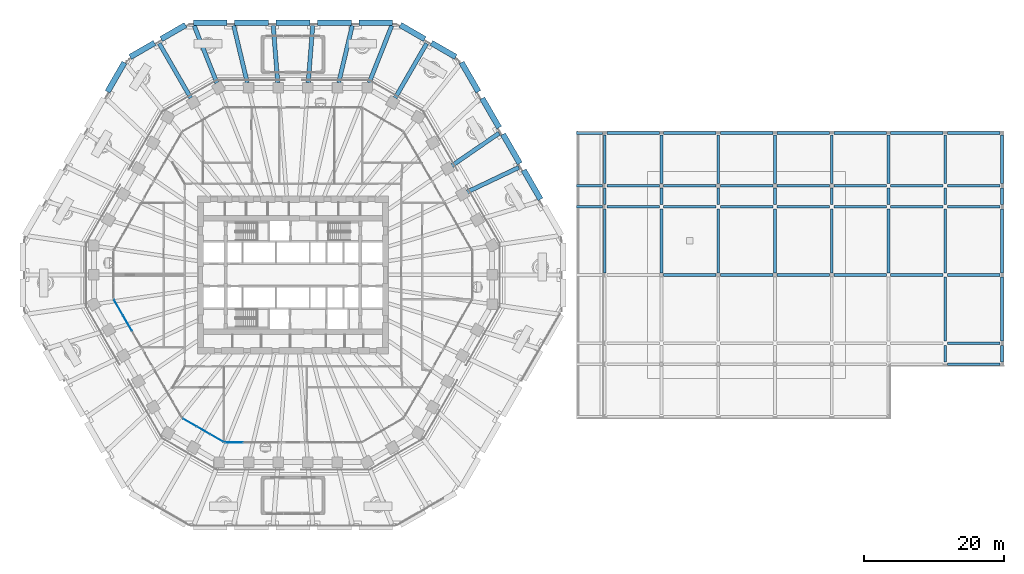
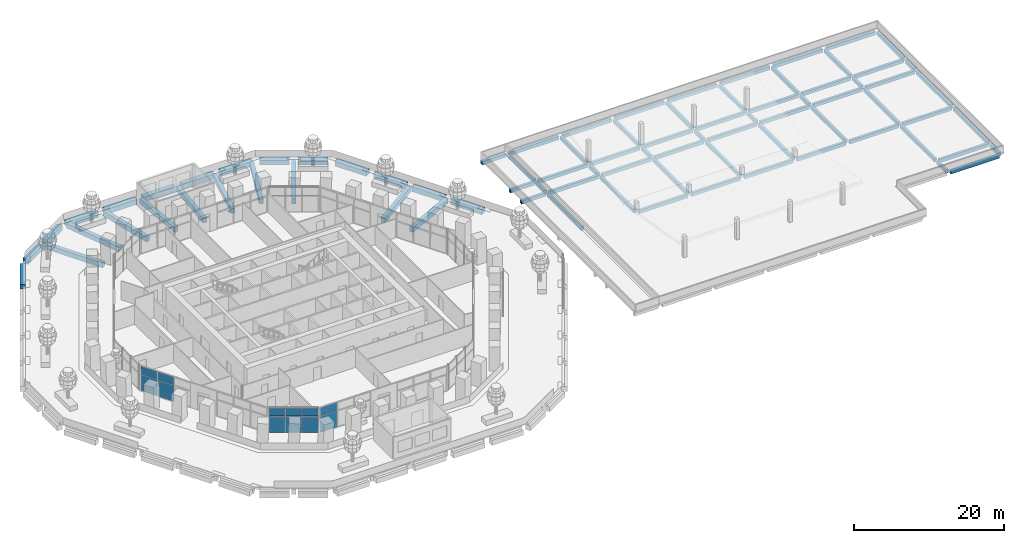
# One storey, part 18 of 32: 84 beams, 12 plates, 3 elements without a shape of their own.
"""IFC4 building model written with IfcOpenShell, lengths in metres."""

from ifc_helpers import new_model, si_unit, direction, frame, origin, origin_2d, place, context, subcontext, project, spatial, rectangle, extrude, material, layer, layer_set, material_profile, profile_set, type_object, element, aggregate, save


model = new_model("IFC4")

# Units and contexts
model_context = context("Model", 3, precision=1e-05, world=origin(), true_north=direction((0.0, 1.0)))
body_context = subcontext(model_context, "Body", "Model", "MODEL_VIEW")
ifc_project = project(units=[si_unit("LENGTHUNIT", "METRE"), si_unit("AREAUNIT", "SQUARE_METRE"), si_unit("VOLUMEUNIT", "CUBIC_METRE"), si_unit("PLANEANGLEUNIT", "RADIAN"), si_unit("MASSUNIT", "GRAM", prefix="KILO")], contexts=[model_context])

# Site, building, storey
site_placement = place(None, origin())
site = spatial("IfcSite", under=ifc_project, at=site_placement, CompositionType="ELEMENT")
building_placement = place(site_placement, origin())
building = spatial("IfcBuilding", under=site, at=building_placement, Name="Frailejon Research Tower", CompositionType="ELEMENT")
storey_placement = place(building_placement, frame((0.0, 0.0, 14.60009765625)))
storey = spatial("IfcBuildingStorey", under=building, at=storey_placement, Name="L03", CompositionType="ELEMENT", Elevation=14.60009765625)

# Beams
ifc_material_1 = material(Name="Concrete C60/75", Category="concrete")
ifc_material_profile_1 = material_profile(ifc_material_1, rectangle(XDim=0.800048828125, YDim=0.800048828125, at=origin_2d()), Name="Base ring beam")
ifc_profile_set_1 = profile_set([ifc_material_profile_1], Name="Concrete C60/75")
beam_type_1 = type_object("IfcBeamType", Name="Base ring beam", PredefinedType="BEAM", material=ifc_profile_set_1)
for number, where, z_axis, x_axis, name in (
    (1, (35.33740234375, 10.7939453125, -0.800048828125), (-0.50000634465, 0.866021740668, 0.0), (-0.866021740668, -0.50000634465, 0.0), "Base ring beam"),
    (2, (32.38037109375, 15.91552734375, -0.800048828125), (-0.50000634465, 0.866021740668, 0.0), (-0.866021740668, -0.50000634465, 0.0), "Base ring beam"),
    (3, (29.423583984375, 21.037109375, -0.800048828125), (-0.50000634465, 0.866021740668, 0.0), (-0.866021740668, -0.50000634465, 0.0), "Base ring beam"),
):
    element("IfcBeam", number, at=place(storey_placement, frame(where, z_axis=z_axis, x_axis=x_axis)), inside=storey, type_object=beam_type_1, Name=name, PredefinedType="BEAM", context=body_context, shape_type="SweptSolid", body=[
        extrude(rectangle(XDim=0.800048828125, YDim=0.800048828125, at=origin_2d()), origin(), (0.0, 0.0, 1.0), 4.81396484375),
    ])
beam_1_placement = place(storey_placement, frame((26.466552734375, 26.15869140625, -0.800048828125), z_axis=(-0.500028306193, 0.866009060579, 0.0), x_axis=(-0.866009060579, -0.500028306193, 0.0)))
element("IfcBeam", 4, at=beam_1_placement, inside=storey, type_object=beam_type_1, Name="Base ring beam", PredefinedType="BEAM", context=body_context, shape_type="SweptSolid", body=[
    extrude(rectangle(XDim=0.800048828125, YDim=0.800048828125, at=origin_2d()), origin(), (0.0, 0.0, 1.0), 4.813720703125),
])
for number, where, z_axis, x_axis, name in (
    (5, (23.234619140625, 31.121337890625, -0.800048828125), (-0.866013269967, 0.500021015799, 0.0), (-0.500021015799, -0.866013269967, 0.0), "Base ring beam"),
    (6, (18.808349609375, 33.677001953125, -0.800048828125), (-0.866013269967, 0.500021015799, 0.0), (-0.500021015799, -0.866013269967, 0.0), "Base ring beam"),
):
    element("IfcBeam", number, at=place(storey_placement, frame(where, z_axis=z_axis, x_axis=x_axis)), inside=storey, type_object=beam_type_1, Name=name, PredefinedType="BEAM", context=body_context, shape_type="SweptSolid", body=[
        extrude(rectangle(XDim=0.800048828125, YDim=0.800048828125, at=origin_2d()), origin(), (0.0, 0.0, 1.0), 4.010986328125),
    ])
beam_2_placement = place(storey_placement, frame((14.234619140625, 36.0, -0.800048828125), z_axis=(-1.0, 0.0, 0.0), x_axis=(0.0, -1.0, 0.0)))
element("IfcBeam", 7, at=beam_2_placement, inside=storey, type_object=beam_type_1, Name="Base ring beam", PredefinedType="BEAM", context=body_context, shape_type="SweptSolid", body=[
    extrude(rectangle(XDim=0.800048828125, YDim=0.800048828125, at=origin_2d()), origin(), (0.0, 0.0, 1.0), 4.813720703125),
])
for number, where, z_axis, x_axis, name in (
    (8, (8.32080078125, 36.0, -0.800048828125), (-1.0, 0.0, 0.0), (0.0, -1.0, 0.0), "Base ring beam"),
    (9, (2.406982421875, 36.0, -0.800048828125), (-1.0, 0.0, 0.0), (0.0, -1.0, 0.0), "Base ring beam"),
    (10, (-3.5068359375, 36.0, -0.800048828125), (-1.0, 0.0, 0.0), (0.0, -1.0, 0.0), "Base ring beam"),
):
    element("IfcBeam", number, at=place(storey_placement, frame(where, z_axis=z_axis, x_axis=x_axis)), inside=storey, type_object=beam_type_1, Name=name, PredefinedType="BEAM", context=body_context, shape_type="SweptSolid", body=[
        extrude(rectangle(XDim=0.800048828125, YDim=0.800048828125, at=origin_2d()), origin(), (0.0, 0.0, 1.0), 4.81396484375),
    ])
beam_3_placement = place(storey_placement, frame((-9.4208984375, 36.0, -0.800048828125), z_axis=(-1.0, 0.0, 0.0), x_axis=(0.0, -1.0, 0.0)))
element("IfcBeam", 11, at=beam_3_placement, inside=storey, type_object=beam_type_1, Name="Base ring beam", PredefinedType="BEAM", context=body_context, shape_type="SweptSolid", body=[
    extrude(rectangle(XDim=0.800048828125, YDim=0.800048828125, at=origin_2d()), origin(), (0.0, 0.0, 1.0), 4.813720703125),
])
for number, where, z_axis, x_axis, name in (
    (12, (-15.334716796875, 35.6826171875, -0.800048828125), (-0.866013269967, -0.500021015799, 0.0), (0.500021015799, -0.866013269967, 0.0), "Base ring beam"),
    (13, (-19.760986328125, 33.126953125, -0.800048828125), (-0.866013269967, -0.500021015799, 0.0), (0.500021015799, -0.866013269967, 0.0), "Base ring beam"),
):
    element("IfcBeam", number, at=place(storey_placement, frame(where, z_axis=z_axis, x_axis=x_axis)), inside=storey, type_object=beam_type_1, Name=name, PredefinedType="BEAM", context=body_context, shape_type="SweptSolid", body=[
        extrude(rectangle(XDim=0.800048828125, YDim=0.800048828125, at=origin_2d()), origin(), (0.0, 0.0, 1.0), 4.010986328125),
    ])
beam_4_placement = place(storey_placement, frame((-24.0595703125, 30.327392578125, -0.800048828125), z_axis=(-0.500028306193, -0.866009060579, 0.0), x_axis=(0.866009060579, -0.500028306193, 0.0)))
element("IfcBeam", 14, at=beam_4_placement, inside=storey, type_object=beam_type_1, Name="Base ring beam", PredefinedType="BEAM", context=body_context, shape_type="SweptSolid", body=[
    extrude(rectangle(XDim=0.800048828125, YDim=0.800048828125, at=origin_2d()), origin(), (0.0, 0.0, 1.0), 4.813720703125),
])
ifc_material_2 = material(Name="Concrete C60/75", Category="concrete")
ifc_material_profile_2 = material_profile(ifc_material_2, rectangle(XDim=0.60009765625, YDim=0.800048828125, at=origin_2d()), Name="Deck girder")
ifc_profile_set_2 = profile_set([ifc_material_profile_2], Name="Concrete C60/75")
beam_type_2 = type_object("IfcBeamType", Name="Deck girder", PredefinedType="BEAM", material=ifc_profile_set_2)
for number, where, z_axis, x_axis, name in (
    (15, (24.860107421875, 11.841064453125, -0.800048828125), (0.902821876558, 0.430014719758, 0.0), (-0.430014719758, 0.902821876558, 0.0), "Deck girder"),
    (16, (22.684814453125, 15.60888671875, -0.800048828125), (0.823805728176, 0.566872227424, 0.0), (-0.566872227424, 0.823805728176, 0.0), "Deck girder"),
):
    element("IfcBeam", number, at=place(storey_placement, frame(where, z_axis=z_axis, x_axis=x_axis)), inside=storey, type_object=beam_type_2, Name=name, PredefinedType="BEAM", context=body_context, shape_type="SweptSolid", body=[
        extrude(rectangle(XDim=0.60009765625, YDim=0.800048828125, at=origin_2d()), origin(), (0.0, 0.0, 1.0), 8.175537109375),
    ])
beam_5_placement = place(storey_placement, frame((14.581298828125, 25.255615234375, -0.800048828125), z_axis=(0.500016540626, 0.866015853839, 0.0), x_axis=(-0.866015853839, 0.500016540626, 0.0)))
element("IfcBeam", 17, at=beam_5_placement, inside=storey, type_object=beam_type_2, Name="Deck girder", PredefinedType="BEAM", context=body_context, shape_type="SweptSolid", body=[
    extrude(rectangle(XDim=0.60009765625, YDim=0.800048828125, at=origin_2d()), origin(), (0.0, 0.0, 1.0), 9.006591796875),
])
beam_6_placement = place(storey_placement, frame((10.877197265625, 27.449951171875, -0.800048828125), z_axis=(0.368358918265, 0.929683659819, 0.0), x_axis=(-0.929683659819, 0.368358918265, 0.0)))
element("IfcBeam", 18, at=beam_6_placement, inside=storey, type_object=beam_type_2, Name="Deck girder", PredefinedType="BEAM", context=body_context, shape_type="SweptSolid", body=[
    extrude(rectangle(XDim=0.60009765625, YDim=0.800048828125, at=origin_2d()), origin(), (0.0, 0.0, 1.0), 8.7666015625),
])
beam_7_placement = place(storey_placement, frame((6.526123046875, 27.449951171875, -0.800048828125), z_axis=(0.231307947353, 0.972880585422, 0.0), x_axis=(-0.972880585422, 0.231307947353, 0.0)))
element("IfcBeam", 19, at=beam_7_placement, inside=storey, type_object=beam_type_2, Name="Deck girder", PredefinedType="BEAM", context=body_context, shape_type="SweptSolid", body=[
    extrude(rectangle(XDim=0.60009765625, YDim=0.800048828125, at=origin_2d()), origin(), (0.0, 0.0, 1.0), 8.37744140625),
])
for number, where, z_axis, x_axis, name in (
    (20, (2.17529296875, 27.449951171875, -0.800048828125), (0.0790140874, 0.996873499493, 0.0), (-0.996873499493, 0.0790140874, 0.0), "Deck girder"),
    (21, (-2.17529296875, 27.449951171875, -0.800048828125), (-0.0790140874, 0.996873499493, 0.0), (-0.996873499493, -0.0790140874, 0.0), "Deck girder"),
):
    element("IfcBeam", number, at=place(storey_placement, frame(where, z_axis=z_axis, x_axis=x_axis)), inside=storey, type_object=beam_type_2, Name=name, PredefinedType="BEAM", context=body_context, shape_type="SweptSolid", body=[
        extrude(rectangle(XDim=0.60009765625, YDim=0.800048828125, at=origin_2d()), origin(), (0.0, 0.0, 1.0), 8.17578125),
    ])
beam_8_placement = place(storey_placement, frame((-6.526123046875, 27.449951171875, -0.800048828125), z_axis=(-0.231307947353, 0.972880585422, 0.0), x_axis=(-0.972880585422, -0.231307947353, 0.0)))
element("IfcBeam", 22, at=beam_8_placement, inside=storey, type_object=beam_type_2, Name="Deck girder", PredefinedType="BEAM", context=body_context, shape_type="SweptSolid", body=[
    extrude(rectangle(XDim=0.60009765625, YDim=0.800048828125, at=origin_2d()), origin(), (0.0, 0.0, 1.0), 8.37744140625),
])
beam_9_placement = place(storey_placement, frame((-10.859130859375, 27.40478515625, -0.800048828125), z_axis=(-0.368375659257, 0.929677026535, 0.0), x_axis=(-0.929677026535, -0.368375659257, 0.0)))
element("IfcBeam", 23, at=beam_9_placement, inside=storey, type_object=beam_type_2, Name="Deck girder", PredefinedType="BEAM", context=body_context, shape_type="SweptSolid", body=[
    extrude(rectangle(XDim=0.60009765625, YDim=0.800048828125, at=origin_2d()), origin(), (0.0, 0.0, 1.0), 8.815185546875),
])
beam_10_placement = place(storey_placement, frame((-14.581298828125, 25.255615234375, -0.800048828125), z_axis=(-0.500016540626, 0.866015853839, 0.0), x_axis=(-0.866015853839, -0.500016540626, 0.0)))
element("IfcBeam", 24, at=beam_10_placement, inside=storey, type_object=beam_type_2, Name="Deck girder", PredefinedType="BEAM", context=body_context, shape_type="SweptSolid", body=[
    extrude(rectangle(XDim=0.60009765625, YDim=0.800048828125, at=origin_2d()), origin(), (0.0, 0.0, 1.0), 9.006591796875),
])
ifc_material_3 = material(Name="Concrete C35/45", Category="concrete")
ifc_material_profile_3 = material_profile(ifc_material_3, rectangle(XDim=0.39990234375, YDim=0.550048828125, at=origin_2d()), Name="HC beam 400x550")
ifc_profile_set_3 = profile_set([ifc_material_profile_3], Name="Concrete C35/45")
beam_type_3 = type_object("IfcBeamType", Name="HC beam 400x550", PredefinedType="BEAM", material=ifc_profile_set_3)
for number, where, z_axis, x_axis, name in (
    (25, (93.39990234375, -12.75, -0.525146484375), (1.0, 0.0, 0.0), (0.0, 1.0, 0.0), "HC roof beam"),
    (26, (93.39990234375, -9.75, -0.525146484375), (1.0, 0.0, 0.0), (0.0, 1.0, 0.0), "HC roof beam"),
    (27, (52.89990234375, 0.0, -0.525146484375), (1.0, 0.0, 0.0), (0.0, 1.0, 0.0), "HC roof beam"),
    (28, (61.0, 0.0, -0.525146484375), (1.0, 0.0, 0.0), (0.0, 1.0, 0.0), "HC roof beam"),
    (29, (69.10009765625, 0.0, -0.525146484375), (1.0, 0.0, 0.0), (0.0, 1.0, 0.0), "HC roof beam"),
    (30, (77.199951171875, 0.0, -0.525146484375), (1.0, 0.0, 0.0), (0.0, 1.0, 0.0), "HC roof beam"),
    (31, (85.300048828125, 0.0, -0.525146484375), (1.0, 0.0, 0.0), (0.0, 1.0, 0.0), "HC roof beam"),
    (32, (93.39990234375, 0.0, -0.525146484375), (1.0, 0.0, 0.0), (0.0, 1.0, 0.0), "HC roof beam"),
    (33, (44.800048828125, 9.75, -0.525146484375), (1.0, 0.0, 0.0), (0.0, 1.0, 0.0), "HC roof beam"),
    (34, (52.89990234375, 9.75, -0.525146484375), (1.0, 0.0, 0.0), (0.0, 1.0, 0.0), "HC roof beam"),
    (35, (61.0, 9.75, -0.525146484375), (1.0, 0.0, 0.0), (0.0, 1.0, 0.0), "HC roof beam"),
    (36, (69.10009765625, 9.75, -0.525146484375), (1.0, 0.0, 0.0), (0.0, 1.0, 0.0), "HC roof beam"),
    (37, (77.199951171875, 9.75, -0.525146484375), (1.0, 0.0, 0.0), (0.0, 1.0, 0.0), "HC roof beam"),
    (38, (85.300048828125, 9.75, -0.525146484375), (1.0, 0.0, 0.0), (0.0, 1.0, 0.0), "HC roof beam"),
    (39, (93.39990234375, 9.75, -0.525146484375), (1.0, 0.0, 0.0), (0.0, 1.0, 0.0), "HC roof beam"),
    (40, (44.800048828125, 12.75, -0.525146484375), (1.0, 0.0, 0.0), (0.0, 1.0, 0.0), "HC roof beam"),
    (41, (52.89990234375, 12.75, -0.525146484375), (1.0, 0.0, 0.0), (0.0, 1.0, 0.0), "HC roof beam"),
    (42, (61.0, 12.75, -0.525146484375), (1.0, 0.0, 0.0), (0.0, 1.0, 0.0), "HC roof beam"),
    (43, (69.10009765625, 12.75, -0.525146484375), (1.0, 0.0, 0.0), (0.0, 1.0, 0.0), "HC roof beam"),
    (44, (77.199951171875, 12.75, -0.525146484375), (1.0, 0.0, 0.0), (0.0, 1.0, 0.0), "HC roof beam"),
    (45, (85.300048828125, 12.75, -0.525146484375), (1.0, 0.0, 0.0), (0.0, 1.0, 0.0), "HC roof beam"),
    (46, (93.39990234375, 12.75, -0.525146484375), (1.0, 0.0, 0.0), (0.0, 1.0, 0.0), "HC roof beam"),
    (47, (44.800048828125, 20.25, -0.525146484375), (1.0, 0.0, 0.0), (0.0, 1.0, 0.0), "HC roof beam"),
    (48, (52.89990234375, 20.25, -0.525146484375), (1.0, 0.0, 0.0), (0.0, 1.0, 0.0), "HC roof beam"),
    (49, (61.0, 20.25, -0.525146484375), (1.0, 0.0, 0.0), (0.0, 1.0, 0.0), "HC roof beam"),
    (50, (69.10009765625, 20.25, -0.525146484375), (1.0, 0.0, 0.0), (0.0, 1.0, 0.0), "HC roof beam"),
    (51, (77.199951171875, 20.25, -0.525146484375), (1.0, 0.0, 0.0), (0.0, 1.0, 0.0), "HC roof beam"),
    (52, (85.300048828125, 20.25, -0.525146484375), (1.0, 0.0, 0.0), (0.0, 1.0, 0.0), "HC roof beam"),
    (53, (93.39990234375, 20.25, -0.525146484375), (1.0, 0.0, 0.0), (0.0, 1.0, 0.0), "HC roof beam"),
):
    element("IfcBeam", number, at=place(storey_placement, frame(where, z_axis=z_axis, x_axis=x_axis)), inside=storey, type_object=beam_type_3, Name=name, PredefinedType="BEAM", context=body_context, shape_type="SweptSolid", body=[
        extrude(rectangle(XDim=0.39990234375, YDim=0.550048828125, at=origin_2d()), origin(), (0.0, 0.0, 1.0), 7.5),
    ])
beam_11_placement = place(storey_placement, frame((44.5, 0.300048828125, -0.525146484375), z_axis=(0.0, 1.0, 0.0), x_axis=(-1.0, 0.0, 0.0)))
element("IfcBeam", 54, at=beam_11_placement, inside=storey, type_object=beam_type_3, Name="HC roof beam", PredefinedType="BEAM", context=body_context, shape_type="SweptSolid", body=[
    extrude(rectangle(XDim=0.39990234375, YDim=0.550048828125, at=origin_2d()), origin(), (0.0, 0.0, 1.0), 9.14990234375),
])
beam_12_placement = place(storey_placement, frame((44.5, 10.050048828125, -0.525146484375), z_axis=(0.0, 1.0, 0.0), x_axis=(-1.0, 0.0, 0.0)))
element("IfcBeam", 55, at=beam_12_placement, inside=storey, type_object=beam_type_3, Name="HC roof beam", PredefinedType="BEAM", context=body_context, shape_type="SweptSolid", body=[
    extrude(rectangle(XDim=0.39990234375, YDim=0.550048828125, at=origin_2d()), origin(), (0.0, 0.0, 1.0), 2.39990234375),
])
beam_13_placement = place(storey_placement, frame((44.5, 13.050048828125, -0.525146484375), z_axis=(0.0, 1.0, 0.0), x_axis=(-1.0, 0.0, 0.0)))
element("IfcBeam", 56, at=beam_13_placement, inside=storey, type_object=beam_type_3, Name="HC roof beam", PredefinedType="BEAM", context=body_context, shape_type="SweptSolid", body=[
    extrude(rectangle(XDim=0.39990234375, YDim=0.550048828125, at=origin_2d()), origin(), (0.0, 0.0, 1.0), 6.89990234375),
])
beam_14_placement = place(storey_placement, frame((52.60009765625, 0.300048828125, -0.525146484375), z_axis=(0.0, 1.0, 0.0), x_axis=(-1.0, 0.0, 0.0)))
element("IfcBeam", 57, at=beam_14_placement, inside=storey, type_object=beam_type_3, Name="HC roof beam", PredefinedType="BEAM", context=body_context, shape_type="SweptSolid", body=[
    extrude(rectangle(XDim=0.39990234375, YDim=0.550048828125, at=origin_2d()), origin(), (0.0, 0.0, 1.0), 9.14990234375),
])
beam_15_placement = place(storey_placement, frame((52.60009765625, 10.050048828125, -0.525146484375), z_axis=(0.0, 1.0, 0.0), x_axis=(-1.0, 0.0, 0.0)))
element("IfcBeam", 58, at=beam_15_placement, inside=storey, type_object=beam_type_3, Name="HC roof beam", PredefinedType="BEAM", context=body_context, shape_type="SweptSolid", body=[
    extrude(rectangle(XDim=0.39990234375, YDim=0.550048828125, at=origin_2d()), origin(), (0.0, 0.0, 1.0), 2.39990234375),
])
beam_16_placement = place(storey_placement, frame((52.60009765625, 13.050048828125, -0.525146484375), z_axis=(0.0, 1.0, 0.0), x_axis=(-1.0, 0.0, 0.0)))
element("IfcBeam", 59, at=beam_16_placement, inside=storey, type_object=beam_type_3, Name="HC roof beam", PredefinedType="BEAM", context=body_context, shape_type="SweptSolid", body=[
    extrude(rectangle(XDim=0.39990234375, YDim=0.550048828125, at=origin_2d()), origin(), (0.0, 0.0, 1.0), 6.89990234375),
])
beam_17_placement = place(storey_placement, frame((60.699951171875, 0.300048828125, -0.525146484375), z_axis=(0.0, 1.0, 0.0), x_axis=(-1.0, 0.0, 0.0)))
element("IfcBeam", 60, at=beam_17_placement, inside=storey, type_object=beam_type_3, Name="HC roof beam", PredefinedType="BEAM", context=body_context, shape_type="SweptSolid", body=[
    extrude(rectangle(XDim=0.39990234375, YDim=0.550048828125, at=origin_2d()), origin(), (0.0, 0.0, 1.0), 9.14990234375),
])
beam_18_placement = place(storey_placement, frame((60.699951171875, 10.050048828125, -0.525146484375), z_axis=(0.0, 1.0, 0.0), x_axis=(-1.0, 0.0, 0.0)))
element("IfcBeam", 61, at=beam_18_placement, inside=storey, type_object=beam_type_3, Name="HC roof beam", PredefinedType="BEAM", context=body_context, shape_type="SweptSolid", body=[
    extrude(rectangle(XDim=0.39990234375, YDim=0.550048828125, at=origin_2d()), origin(), (0.0, 0.0, 1.0), 2.39990234375),
])
beam_19_placement = place(storey_placement, frame((60.699951171875, 13.050048828125, -0.525146484375), z_axis=(0.0, 1.0, 0.0), x_axis=(-1.0, 0.0, 0.0)))
element("IfcBeam", 62, at=beam_19_placement, inside=storey, type_object=beam_type_3, Name="HC roof beam", PredefinedType="BEAM", context=body_context, shape_type="SweptSolid", body=[
    extrude(rectangle(XDim=0.39990234375, YDim=0.550048828125, at=origin_2d()), origin(), (0.0, 0.0, 1.0), 6.89990234375),
])
beam_20_placement = place(storey_placement, frame((68.800048828125, 0.300048828125, -0.525146484375), z_axis=(0.0, 1.0, 0.0), x_axis=(-1.0, 0.0, 0.0)))
element("IfcBeam", 63, at=beam_20_placement, inside=storey, type_object=beam_type_3, Name="HC roof beam", PredefinedType="BEAM", context=body_context, shape_type="SweptSolid", body=[
    extrude(rectangle(XDim=0.39990234375, YDim=0.550048828125, at=origin_2d()), origin(), (0.0, 0.0, 1.0), 9.14990234375),
])
beam_21_placement = place(storey_placement, frame((68.800048828125, 10.050048828125, -0.525146484375), z_axis=(0.0, 1.0, 0.0), x_axis=(-1.0, 0.0, 0.0)))
element("IfcBeam", 64, at=beam_21_placement, inside=storey, type_object=beam_type_3, Name="HC roof beam", PredefinedType="BEAM", context=body_context, shape_type="SweptSolid", body=[
    extrude(rectangle(XDim=0.39990234375, YDim=0.550048828125, at=origin_2d()), origin(), (0.0, 0.0, 1.0), 2.39990234375),
])
beam_22_placement = place(storey_placement, frame((68.800048828125, 13.050048828125, -0.525146484375), z_axis=(0.0, 1.0, 0.0), x_axis=(-1.0, 0.0, 0.0)))
element("IfcBeam", 65, at=beam_22_placement, inside=storey, type_object=beam_type_3, Name="HC roof beam", PredefinedType="BEAM", context=body_context, shape_type="SweptSolid", body=[
    extrude(rectangle(XDim=0.39990234375, YDim=0.550048828125, at=origin_2d()), origin(), (0.0, 0.0, 1.0), 6.89990234375),
])
beam_23_placement = place(storey_placement, frame((76.89990234375, 0.300048828125, -0.525146484375), z_axis=(0.0, 1.0, 0.0), x_axis=(-1.0, 0.0, 0.0)))
element("IfcBeam", 66, at=beam_23_placement, inside=storey, type_object=beam_type_3, Name="HC roof beam", PredefinedType="BEAM", context=body_context, shape_type="SweptSolid", body=[
    extrude(rectangle(XDim=0.39990234375, YDim=0.550048828125, at=origin_2d()), origin(), (0.0, 0.0, 1.0), 9.14990234375),
])
beam_24_placement = place(storey_placement, frame((76.89990234375, 10.050048828125, -0.525146484375), z_axis=(0.0, 1.0, 0.0), x_axis=(-1.0, 0.0, 0.0)))
element("IfcBeam", 67, at=beam_24_placement, inside=storey, type_object=beam_type_3, Name="HC roof beam", PredefinedType="BEAM", context=body_context, shape_type="SweptSolid", body=[
    extrude(rectangle(XDim=0.39990234375, YDim=0.550048828125, at=origin_2d()), origin(), (0.0, 0.0, 1.0), 2.39990234375),
])
beam_25_placement = place(storey_placement, frame((76.89990234375, 13.050048828125, -0.525146484375), z_axis=(0.0, 1.0, 0.0), x_axis=(-1.0, 0.0, 0.0)))
element("IfcBeam", 68, at=beam_25_placement, inside=storey, type_object=beam_type_3, Name="HC roof beam", PredefinedType="BEAM", context=body_context, shape_type="SweptSolid", body=[
    extrude(rectangle(XDim=0.39990234375, YDim=0.550048828125, at=origin_2d()), origin(), (0.0, 0.0, 1.0), 6.89990234375),
])
beam_26_placement = place(storey_placement, frame((85.0, 0.300048828125, -0.525146484375), z_axis=(0.0, 1.0, 0.0), x_axis=(-1.0, 0.0, 0.0)))
element("IfcBeam", 69, at=beam_26_placement, inside=storey, type_object=beam_type_3, Name="HC roof beam", PredefinedType="BEAM", context=body_context, shape_type="SweptSolid", body=[
    extrude(rectangle(XDim=0.39990234375, YDim=0.550048828125, at=origin_2d()), origin(), (0.0, 0.0, 1.0), 9.14990234375),
])
beam_27_placement = place(storey_placement, frame((85.0, 10.050048828125, -0.525146484375), z_axis=(0.0, 1.0, 0.0), x_axis=(-1.0, 0.0, 0.0)))
element("IfcBeam", 70, at=beam_27_placement, inside=storey, type_object=beam_type_3, Name="HC roof beam", PredefinedType="BEAM", context=body_context, shape_type="SweptSolid", body=[
    extrude(rectangle(XDim=0.39990234375, YDim=0.550048828125, at=origin_2d()), origin(), (0.0, 0.0, 1.0), 2.39990234375),
])
beam_28_placement = place(storey_placement, frame((85.0, 13.050048828125, -0.525146484375), z_axis=(0.0, 1.0, 0.0), x_axis=(-1.0, 0.0, 0.0)))
element("IfcBeam", 71, at=beam_28_placement, inside=storey, type_object=beam_type_3, Name="HC roof beam", PredefinedType="BEAM", context=body_context, shape_type="SweptSolid", body=[
    extrude(rectangle(XDim=0.39990234375, YDim=0.550048828125, at=origin_2d()), origin(), (0.0, 0.0, 1.0), 6.89990234375),
])
beam_29_placement = place(storey_placement, frame((93.10009765625, -12.449951171875, -0.525146484375), z_axis=(0.0, 1.0, 0.0), x_axis=(-1.0, 0.0, 0.0)))
element("IfcBeam", 72, at=beam_29_placement, inside=storey, type_object=beam_type_3, Name="HC roof beam", PredefinedType="BEAM", context=body_context, shape_type="SweptSolid", body=[
    extrude(rectangle(XDim=0.39990234375, YDim=0.550048828125, at=origin_2d()), origin(), (0.0, 0.0, 1.0), 2.39990234375),
])
for number, where, z_axis, x_axis, name in (
    (73, (93.10009765625, -9.449951171875, -0.525146484375), (0.0, 1.0, 0.0), (-1.0, 0.0, 0.0), "HC roof beam"),
    (74, (93.10009765625, 0.300048828125, -0.525146484375), (0.0, 1.0, 0.0), (-1.0, 0.0, 0.0), "HC roof beam"),
):
    element("IfcBeam", number, at=place(storey_placement, frame(where, z_axis=z_axis, x_axis=x_axis)), inside=storey, type_object=beam_type_3, Name=name, PredefinedType="BEAM", context=body_context, shape_type="SweptSolid", body=[
        extrude(rectangle(XDim=0.39990234375, YDim=0.550048828125, at=origin_2d()), origin(), (0.0, 0.0, 1.0), 9.14990234375),
    ])
beam_30_placement = place(storey_placement, frame((93.10009765625, 10.050048828125, -0.525146484375), z_axis=(0.0, 1.0, 0.0), x_axis=(-1.0, 0.0, 0.0)))
element("IfcBeam", 75, at=beam_30_placement, inside=storey, type_object=beam_type_3, Name="HC roof beam", PredefinedType="BEAM", context=body_context, shape_type="SweptSolid", body=[
    extrude(rectangle(XDim=0.39990234375, YDim=0.550048828125, at=origin_2d()), origin(), (0.0, 0.0, 1.0), 2.39990234375),
])
beam_31_placement = place(storey_placement, frame((93.10009765625, 13.050048828125, -0.525146484375), z_axis=(0.0, 1.0, 0.0), x_axis=(-1.0, 0.0, 0.0)))
element("IfcBeam", 76, at=beam_31_placement, inside=storey, type_object=beam_type_3, Name="HC roof beam", PredefinedType="BEAM", context=body_context, shape_type="SweptSolid", body=[
    extrude(rectangle(XDim=0.39990234375, YDim=0.550048828125, at=origin_2d()), origin(), (0.0, 0.0, 1.0), 6.89990234375),
])
beam_32_placement = place(storey_placement, frame((101.199951171875, -12.449951171875, -0.525146484375), z_axis=(0.0, 1.0, 0.0), x_axis=(-1.0, 0.0, 0.0)))
element("IfcBeam", 77, at=beam_32_placement, inside=storey, type_object=beam_type_3, Name="HC roof beam", PredefinedType="BEAM", context=body_context, shape_type="SweptSolid", body=[
    extrude(rectangle(XDim=0.39990234375, YDim=0.550048828125, at=origin_2d()), origin(), (0.0, 0.0, 1.0), 2.39990234375),
])
for number, where, z_axis, x_axis, name in (
    (78, (101.199951171875, -9.449951171875, -0.525146484375), (0.0, 1.0, 0.0), (-1.0, 0.0, 0.0), "HC roof beam"),
    (79, (101.199951171875, 0.300048828125, -0.525146484375), (0.0, 1.0, 0.0), (-1.0, 0.0, 0.0), "HC roof beam"),
):
    element("IfcBeam", number, at=place(storey_placement, frame(where, z_axis=z_axis, x_axis=x_axis)), inside=storey, type_object=beam_type_3, Name=name, PredefinedType="BEAM", context=body_context, shape_type="SweptSolid", body=[
        extrude(rectangle(XDim=0.39990234375, YDim=0.550048828125, at=origin_2d()), origin(), (0.0, 0.0, 1.0), 9.14990234375),
    ])
beam_33_placement = place(storey_placement, frame((101.199951171875, 10.050048828125, -0.525146484375), z_axis=(0.0, 1.0, 0.0), x_axis=(-1.0, 0.0, 0.0)))
element("IfcBeam", 80, at=beam_33_placement, inside=storey, type_object=beam_type_3, Name="HC roof beam", PredefinedType="BEAM", context=body_context, shape_type="SweptSolid", body=[
    extrude(rectangle(XDim=0.39990234375, YDim=0.550048828125, at=origin_2d()), origin(), (0.0, 0.0, 1.0), 2.39990234375),
])
beam_34_placement = place(storey_placement, frame((101.199951171875, 13.050048828125, -0.525146484375), z_axis=(0.0, 1.0, 0.0), x_axis=(-1.0, 0.0, 0.0)))
element("IfcBeam", 81, at=beam_34_placement, inside=storey, type_object=beam_type_3, Name="HC roof beam", PredefinedType="BEAM", context=body_context, shape_type="SweptSolid", body=[
    extrude(rectangle(XDim=0.39990234375, YDim=0.550048828125, at=origin_2d()), origin(), (0.0, 0.0, 1.0), 6.89990234375),
])
for number, where, z_axis, x_axis, name in (
    (82, (40.5, 9.75, -0.525146484375), (1.0, 0.0, 0.0), (0.0, 1.0, 0.0), "HC canopy beam"),
    (83, (40.5, 12.75, -0.525146484375), (1.0, 0.0, 0.0), (0.0, 1.0, 0.0), "HC canopy beam"),
    (84, (40.5, 20.25, -0.525146484375), (1.0, 0.0, 0.0), (0.0, 1.0, 0.0), "HC canopy beam"),
):
    element("IfcBeam", number, at=place(storey_placement, frame(where, z_axis=z_axis, x_axis=x_axis)), inside=storey, type_object=beam_type_3, Name=name, PredefinedType="BEAM", context=body_context, shape_type="SweptSolid", body=[
        extrude(rectangle(XDim=0.39990234375, YDim=0.550048828125, at=origin_2d()), origin(), (0.0, 0.0, 1.0), 3.699951171875),
    ])

# Curtain wall, plates
ifc_material_4 = material(Name="Aluminium curtain wall", Category="aluminium")
curtain_wall_type = type_object("IfcCurtainWallType", Name="Base zone unitised curtain wall system", PredefinedType="NOTDEFINED", material=ifc_material_4)
curtain_wall_1_placement = place(storey_placement, origin())
curtain_wall_1 = element("IfcCurtainWall", 85, at=curtain_wall_1_placement, inside=storey, type_object=curtain_wall_type, Name="Curtain wall L03", PredefinedType="NOTDEFINED")
ifc_material_5 = material(Name="Clear laminated glass", Category="glass")
ifc_layer = layer(ifc_material_5, 0.028076171875)
ifc_layer_set = layer_set([ifc_layer], Name="Base zone unitised curtain wall glass panel 28")
plate_type = type_object("IfcPlateType", Name="Base zone unitised curtain wall glass panel 28", PredefinedType="CURTAIN_PANEL", material=ifc_layer_set)
plate_1_placement = place(storey_placement, frame((-24.908447265625, -4.657470703125, 0.06005859375), z_axis=(0.0, 0.0, 1.0), x_axis=(0.499993018474, -0.866029434533, 0.0)))
plate_1 = element("IfcPlate", 86, at=plate_1_placement, type_object=plate_type, Name="CW3-055 panel 1.1", PredefinedType="CURTAIN_PANEL", context=body_context, shape_type="SweptSolid", body=[
    extrude(rectangle(XDim=2.497802734375, YDim=0.028076171875, at=origin_2d()), origin(), (0.0, 0.0, 1.0), 2.610107421875),
])
plate_2_placement = place(storey_placement, frame((-24.908447265625, -4.657470703125, 2.72998046875), z_axis=(0.0, 0.0, 1.0), x_axis=(0.499993018474, -0.866029434533, 0.0)))
plate_2 = element("IfcPlate", 87, at=plate_2_placement, type_object=plate_type, Name="CW3-055 panel 1.2", PredefinedType="CURTAIN_PANEL", context=body_context, shape_type="SweptSolid", body=[
    extrude(rectangle(XDim=2.497802734375, YDim=0.028076171875, at=origin_2d()), origin(), (0.0, 0.0, 1.0), 1.31005859375),
])
plate_3_placement = place(storey_placement, frame((-23.621826171875, -6.8857421875, 0.06005859375), z_axis=(0.0, 0.0, 1.0), x_axis=(0.499993018474, -0.866029434533, 0.0)))
plate_3 = element("IfcPlate", 88, at=plate_3_placement, type_object=plate_type, Name="CW3-055 panel 2.1", PredefinedType="CURTAIN_PANEL", context=body_context, shape_type="SweptSolid", body=[
    extrude(rectangle(XDim=2.52783203125, YDim=0.028076171875, at=origin_2d()), origin(), (0.0, 0.0, 1.0), 2.610107421875),
])
plate_4_placement = place(storey_placement, frame((-23.621826171875, -6.8857421875, 2.72998046875), z_axis=(0.0, 0.0, 1.0), x_axis=(0.499993018474, -0.866029434533, 0.0)))
plate_4 = element("IfcPlate", 89, at=plate_4_placement, type_object=plate_type, Name="CW3-055 panel 2.2", PredefinedType="CURTAIN_PANEL", context=body_context, shape_type="SweptSolid", body=[
    extrude(rectangle(XDim=2.52783203125, YDim=0.028076171875, at=origin_2d()), origin(), (0.0, 0.0, 1.0), 1.31005859375),
])
aggregate(curtain_wall_1, [plate_1, plate_2, plate_3, plate_4])

curtain_wall_2_placement = place(storey_placement, origin())
curtain_wall_2 = element("IfcCurtainWall", 90, at=curtain_wall_2_placement, inside=storey, type_object=curtain_wall_type, Name="Curtain wall L03", PredefinedType="NOTDEFINED")
plate_5_placement = place(storey_placement, frame((-14.72021484375, -21.076416015625, 0.06005859375), z_axis=(0.0, 0.0, 1.0), x_axis=(0.866026409075, -0.499998258782, 0.0)))
plate_5 = element("IfcPlate", 91, at=plate_5_placement, type_object=plate_type, Name="CW3-057 panel 1.1", PredefinedType="CURTAIN_PANEL", context=body_context, shape_type="SweptSolid", body=[
    extrude(rectangle(XDim=2.134765625, YDim=0.028076171875, at=origin_2d()), origin(), (0.0, 0.0, 1.0), 2.610107421875),
])
plate_6_placement = place(storey_placement, frame((-14.72021484375, -21.076416015625, 2.72998046875), z_axis=(0.0, 0.0, 1.0), x_axis=(0.866026409075, -0.499998258782, 0.0)))
plate_6 = element("IfcPlate", 92, at=plate_6_placement, type_object=plate_type, Name="CW3-057 panel 1.2", PredefinedType="CURTAIN_PANEL", context=body_context, shape_type="SweptSolid", body=[
    extrude(rectangle(XDim=2.134765625, YDim=0.028076171875, at=origin_2d()), origin(), (0.0, 0.0, 1.0), 1.31005859375),
])
plate_7_placement = place(storey_placement, frame((-12.806396484375, -22.181396484375, 0.06005859375), z_axis=(0.0, 0.0, 1.0), x_axis=(0.866026409075, -0.499998258782, 0.0)))
plate_7 = element("IfcPlate", 93, at=plate_7_placement, type_object=plate_type, Name="CW3-057 panel 2.1", PredefinedType="CURTAIN_PANEL", context=body_context, shape_type="SweptSolid", body=[
    extrude(rectangle(XDim=2.164794921875, YDim=0.028076171875, at=origin_2d()), origin(), (0.0, 0.0, 1.0), 2.610107421875),
])
plate_8_placement = place(storey_placement, frame((-12.806396484375, -22.181396484375, 2.72998046875), z_axis=(0.0, 0.0, 1.0), x_axis=(0.866026409075, -0.499998258782, 0.0)))
plate_8 = element("IfcPlate", 94, at=plate_8_placement, type_object=plate_type, Name="CW3-057 panel 2.2", PredefinedType="CURTAIN_PANEL", context=body_context, shape_type="SweptSolid", body=[
    extrude(rectangle(XDim=2.164794921875, YDim=0.028076171875, at=origin_2d()), origin(), (0.0, 0.0, 1.0), 1.31005859375),
])
plate_9_placement = place(storey_placement, frame((-10.892578125, -23.286376953125, 0.06005859375), z_axis=(0.0, 0.0, 1.0), x_axis=(0.866026409075, -0.499998258782, 0.0)))
plate_9 = element("IfcPlate", 95, at=plate_9_placement, type_object=plate_type, Name="CW3-057 panel 3.1", PredefinedType="CURTAIN_PANEL", context=body_context, shape_type="SweptSolid", body=[
    extrude(rectangle(XDim=2.134765625, YDim=0.028076171875, at=origin_2d()), origin(), (0.0, 0.0, 1.0), 2.610107421875),
])
plate_10_placement = place(storey_placement, frame((-10.892578125, -23.286376953125, 2.72998046875), z_axis=(0.0, 0.0, 1.0), x_axis=(0.866026409075, -0.499998258782, 0.0)))
plate_10 = element("IfcPlate", 96, at=plate_10_placement, type_object=plate_type, Name="CW3-057 panel 3.2", PredefinedType="CURTAIN_PANEL", context=body_context, shape_type="SweptSolid", body=[
    extrude(rectangle(XDim=2.134765625, YDim=0.028076171875, at=origin_2d()), origin(), (0.0, 0.0, 1.0), 1.31005859375),
])
aggregate(curtain_wall_2, [plate_5, plate_6, plate_7, plate_8, plate_9, plate_10])

curtain_wall_3_placement = place(storey_placement, origin())
curtain_wall_3 = element("IfcCurtainWall", 97, at=curtain_wall_3_placement, inside=storey, type_object=curtain_wall_type, Name="Curtain wall L03", PredefinedType="NOTDEFINED")
plate_11_placement = place(storey_placement, frame((-8.420654296875, -23.89990234375, 0.06005859375), z_axis=(0.0, 0.0, 1.0), x_axis=(1.0, 0.0, 0.0)))
plate_11 = element("IfcPlate", 98, at=plate_11_placement, type_object=plate_type, Name="CW3-058 panel 1.1", PredefinedType="CURTAIN_PANEL", context=body_context, shape_type="SweptSolid", body=[
    extrude(rectangle(XDim=2.497802734375, YDim=0.028076171875, at=origin_2d()), origin(), (0.0, 0.0, 1.0), 2.610107421875),
])
plate_12_placement = place(storey_placement, frame((-8.420654296875, -23.89990234375, 2.72998046875), z_axis=(0.0, 0.0, 1.0), x_axis=(1.0, 0.0, 0.0)))
plate_12 = element("IfcPlate", 99, at=plate_12_placement, type_object=plate_type, Name="CW3-058 panel 1.2", PredefinedType="CURTAIN_PANEL", context=body_context, shape_type="SweptSolid", body=[
    extrude(rectangle(XDim=2.497802734375, YDim=0.028076171875, at=origin_2d()), origin(), (0.0, 0.0, 1.0), 1.31005859375),
])
aggregate(curtain_wall_3, [plate_11, plate_12])

save(model, "model.ifc")
